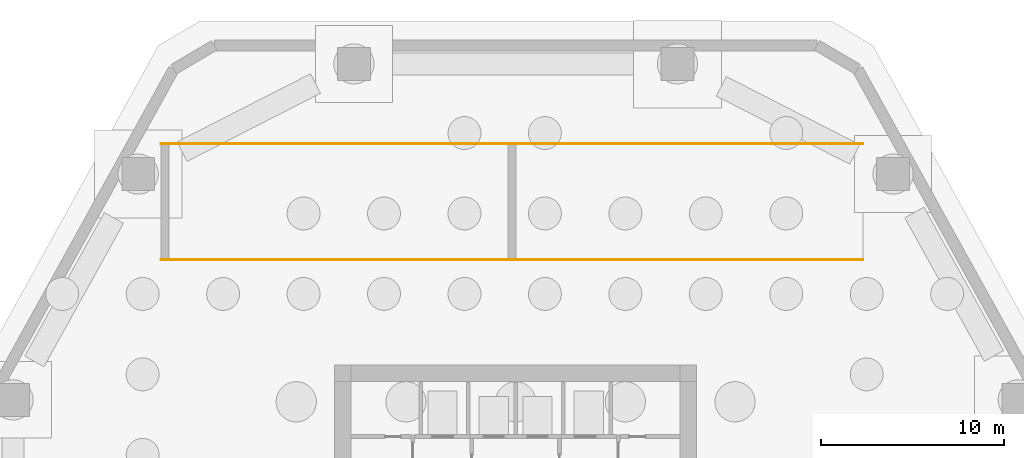
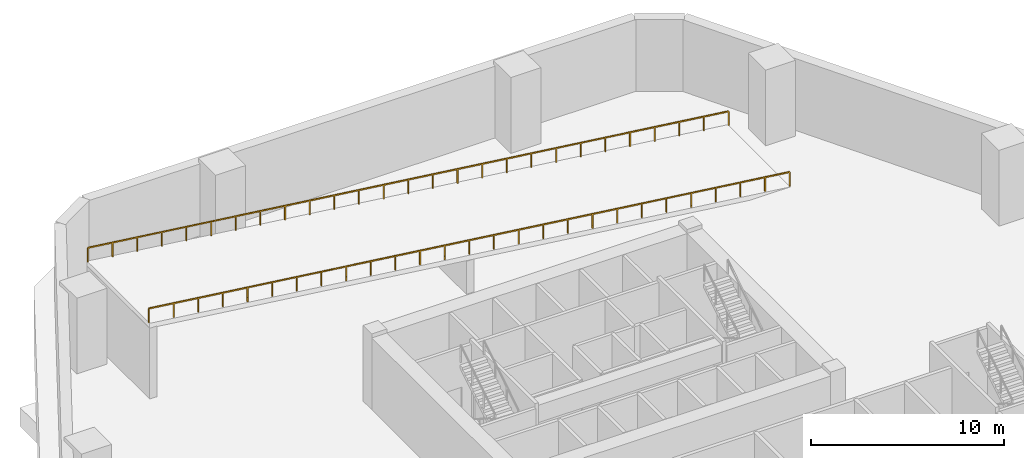
# One storey, part 8 of 9: 2 railings.
"""IFC4 building model written with IfcOpenShell, lengths in metres."""

from ifc_helpers import new_model, si_unit, direction, frame, origin, origin_2d, place, context, subcontext, project, spatial, rectangle, extrude, material, type_object, element, save


model = new_model("IFC4")

# Units and contexts
model_context = context("Model", 3, precision=1e-05, world=origin(), true_north=direction((0.0, 1.0)))
body_context = subcontext(model_context, "Body", "Model", "MODEL_VIEW")
ifc_project = project(units=[si_unit("LENGTHUNIT", "METRE"), si_unit("AREAUNIT", "SQUARE_METRE"), si_unit("VOLUMEUNIT", "CUBIC_METRE"), si_unit("PLANEANGLEUNIT", "RADIAN"), si_unit("MASSUNIT", "GRAM", prefix="KILO")], contexts=[model_context])

# Site, building, storey
site_placement = place(None, origin())
site = spatial("IfcSite", under=ifc_project, at=site_placement, CompositionType="ELEMENT")
building_placement = place(site_placement, origin())
building = spatial("IfcBuilding", under=site, at=building_placement, Name="Cinnabar Lancet Tower", CompositionType="ELEMENT")
storey_placement = place(building_placement, frame((0.0, 0.0, -4.800048828125)))
storey = spatial("IfcBuildingStorey", under=building, at=storey_placement, Name="B1", CompositionType="ELEMENT", Elevation=-4.800048828125)

# Railings
ifc_material = material(Name="Brushed stainless steel handrail", Category="steel")
railing_type = type_object("IfcRailingType", Name="HANDRAIL-RAMP", PredefinedType="HANDRAIL", material=ifc_material)
railing_1_placement = place(storey_placement, frame((51.39990234375, 39.580078125, 0.0)))
element("IfcRailing", 1, at=railing_1_placement, inside=storey, type_object=railing_type, Name="Vehicle Ramp VR-01 S Kerb Guard Handrail", PredefinedType="HANDRAIL", context=body_context, shape_type="SweptSolid", body=[
    extrude(rectangle(XDim=0.048095703125, YDim=0.048095703125, at=origin_2d()), frame((0.0, 0.0, 0.89599609375), z_axis=(-0.992277682597, 0.0, 0.124036287512), x_axis=(0.0, -1.0, 0.0)), (0.0, 0.0, 1.0), 38.69873046875),
    extrude(rectangle(XDim=0.0419921875, YDim=0.0419921875, at=origin_2d()), origin(), (0.0, 0.0, 1.0), 0.871826171875),
    extrude(rectangle(XDim=0.0419921875, YDim=0.0419921875, at=origin_2d()), frame((-1.476806640625, 0.0, 0.1845703125)), (0.0, 0.0, 1.0), 0.871826171875),
    extrude(rectangle(XDim=0.0419921875, YDim=0.0419921875, at=origin_2d()), frame((-2.953857421875, 0.0, 0.369140625)), (0.0, 0.0, 1.0), 0.871826171875),
    extrude(rectangle(XDim=0.0419921875, YDim=0.0419921875, at=origin_2d()), frame((-4.4306640625, 0.0, 0.553955078125)), (0.0, 0.0, 1.0), 0.871826171875),
    extrude(rectangle(XDim=0.0419921875, YDim=0.0419921875, at=origin_2d()), frame((-5.90771484375, 0.0, 0.738525390625)), (0.0, 0.0, 1.0), 0.871826171875),
    extrude(rectangle(XDim=0.0419921875, YDim=0.0419921875, at=origin_2d()), frame((-7.384521484375, 0.0, 0.923095703125)), (0.0, 0.0, 1.0), 0.871826171875),
    extrude(rectangle(XDim=0.0419921875, YDim=0.0419921875, at=origin_2d()), frame((-8.861572265625, 0.0, 1.107666015625)), (0.0, 0.0, 1.0), 0.871826171875),
    extrude(rectangle(XDim=0.0419921875, YDim=0.0419921875, at=origin_2d()), frame((-10.33837890625, 0.0, 1.292236328125)), (0.0, 0.0, 1.0), 0.871826171875),
    extrude(rectangle(XDim=0.0419921875, YDim=0.0419921875, at=origin_2d()), frame((-11.8154296875, 0.0, 1.47705078125)), (0.0, 0.0, 1.0), 0.871826171875),
    extrude(rectangle(XDim=0.0419921875, YDim=0.0419921875, at=origin_2d()), frame((-13.292236328125, 0.0, 1.66162109375)), (0.0, 0.0, 1.0), 0.871826171875),
    extrude(rectangle(XDim=0.0419921875, YDim=0.0419921875, at=origin_2d()), frame((-14.769287109375, 0.0, 1.84619140625)), (0.0, 0.0, 1.0), 0.871826171875),
    extrude(rectangle(XDim=0.0419921875, YDim=0.0419921875, at=origin_2d()), frame((-16.24609375, 0.0, 2.03076171875)), (0.0, 0.0, 1.0), 0.871826171875),
    extrude(rectangle(XDim=0.0419921875, YDim=0.0419921875, at=origin_2d()), frame((-17.72314453125, 0.0, 2.21533203125)), (0.0, 0.0, 1.0), 0.871826171875),
    extrude(rectangle(XDim=0.0419921875, YDim=0.0419921875, at=origin_2d()), frame((-19.199951171875, 0.0, 2.39990234375)), (0.0, 0.0, 1.0), 0.871826171875),
    extrude(rectangle(XDim=0.0419921875, YDim=0.0419921875, at=origin_2d()), frame((-20.6767578125, 0.0, 2.584716796875)), (0.0, 0.0, 1.0), 0.871826171875),
    extrude(rectangle(XDim=0.0419921875, YDim=0.0419921875, at=origin_2d()), frame((-22.15380859375, 0.0, 2.769287109375)), (0.0, 0.0, 1.0), 0.871826171875),
    extrude(rectangle(XDim=0.0419921875, YDim=0.0419921875, at=origin_2d()), frame((-23.630615234375, 0.0, 2.953857421875)), (0.0, 0.0, 1.0), 0.871826171875),
    extrude(rectangle(XDim=0.0419921875, YDim=0.0419921875, at=origin_2d()), frame((-25.107666015625, 0.0, 3.138427734375)), (0.0, 0.0, 1.0), 0.871826171875),
    extrude(rectangle(XDim=0.0419921875, YDim=0.0419921875, at=origin_2d()), frame((-26.58447265625, 0.0, 3.322998046875)), (0.0, 0.0, 1.0), 0.871826171875),
    extrude(rectangle(XDim=0.0419921875, YDim=0.0419921875, at=origin_2d()), frame((-28.0615234375, 0.0, 3.5078125)), (0.0, 0.0, 1.0), 0.871826171875),
    extrude(rectangle(XDim=0.0419921875, YDim=0.0419921875, at=origin_2d()), frame((-29.538330078125, 0.0, 3.6923828125)), (0.0, 0.0, 1.0), 0.871826171875),
    extrude(rectangle(XDim=0.0419921875, YDim=0.0419921875, at=origin_2d()), frame((-31.015380859375, 0.0, 3.876953125)), (0.0, 0.0, 1.0), 0.871826171875),
    extrude(rectangle(XDim=0.0419921875, YDim=0.0419921875, at=origin_2d()), frame((-32.4921875, 0.0, 4.0615234375)), (0.0, 0.0, 1.0), 0.871826171875),
    extrude(rectangle(XDim=0.0419921875, YDim=0.0419921875, at=origin_2d()), frame((-33.96923828125, 0.0, 4.24609375)), (0.0, 0.0, 1.0), 0.871826171875),
    extrude(rectangle(XDim=0.0419921875, YDim=0.0419921875, at=origin_2d()), frame((-35.446044921875, 0.0, 4.430908203125)), (0.0, 0.0, 1.0), 0.871826171875),
    extrude(rectangle(XDim=0.0419921875, YDim=0.0419921875, at=origin_2d()), frame((-36.923095703125, 0.0, 4.615478515625)), (0.0, 0.0, 1.0), 0.871826171875),
    extrude(rectangle(XDim=0.0419921875, YDim=0.0419921875, at=origin_2d()), frame((-38.39990234375, 0.0, 4.800048828125)), (0.0, 0.0, 1.0), 0.871826171875),
])
railing_2_placement = place(storey_placement, frame((51.39990234375, 45.919921875, 0.0)))
element("IfcRailing", 2, at=railing_2_placement, inside=storey, type_object=railing_type, Name="Vehicle Ramp VR-01 N Kerb Guard Handrail", PredefinedType="HANDRAIL", context=body_context, shape_type="SweptSolid", body=[
    extrude(rectangle(XDim=0.048095703125, YDim=0.048095703125, at=origin_2d()), frame((0.0, 0.0, 0.89599609375), z_axis=(-0.992277682597, 0.0, 0.124036287512), x_axis=(0.0, -1.0, 0.0)), (0.0, 0.0, 1.0), 38.69873046875),
    extrude(rectangle(XDim=0.0419921875, YDim=0.0419921875, at=origin_2d()), origin(), (0.0, 0.0, 1.0), 0.871826171875),
    extrude(rectangle(XDim=0.0419921875, YDim=0.0419921875, at=origin_2d()), frame((-1.476806640625, 0.0, 0.1845703125)), (0.0, 0.0, 1.0), 0.871826171875),
    extrude(rectangle(XDim=0.0419921875, YDim=0.0419921875, at=origin_2d()), frame((-2.953857421875, 0.0, 0.369140625)), (0.0, 0.0, 1.0), 0.871826171875),
    extrude(rectangle(XDim=0.0419921875, YDim=0.0419921875, at=origin_2d()), frame((-4.4306640625, 0.0, 0.553955078125)), (0.0, 0.0, 1.0), 0.871826171875),
    extrude(rectangle(XDim=0.0419921875, YDim=0.0419921875, at=origin_2d()), frame((-5.90771484375, 0.0, 0.738525390625)), (0.0, 0.0, 1.0), 0.871826171875),
    extrude(rectangle(XDim=0.0419921875, YDim=0.0419921875, at=origin_2d()), frame((-7.384521484375, 0.0, 0.923095703125)), (0.0, 0.0, 1.0), 0.871826171875),
    extrude(rectangle(XDim=0.0419921875, YDim=0.0419921875, at=origin_2d()), frame((-8.861572265625, 0.0, 1.107666015625)), (0.0, 0.0, 1.0), 0.871826171875),
    extrude(rectangle(XDim=0.0419921875, YDim=0.0419921875, at=origin_2d()), frame((-10.33837890625, 0.0, 1.292236328125)), (0.0, 0.0, 1.0), 0.871826171875),
    extrude(rectangle(XDim=0.0419921875, YDim=0.0419921875, at=origin_2d()), frame((-11.8154296875, 0.0, 1.47705078125)), (0.0, 0.0, 1.0), 0.871826171875),
    extrude(rectangle(XDim=0.0419921875, YDim=0.0419921875, at=origin_2d()), frame((-13.292236328125, 0.0, 1.66162109375)), (0.0, 0.0, 1.0), 0.871826171875),
    extrude(rectangle(XDim=0.0419921875, YDim=0.0419921875, at=origin_2d()), frame((-14.769287109375, 0.0, 1.84619140625)), (0.0, 0.0, 1.0), 0.871826171875),
    extrude(rectangle(XDim=0.0419921875, YDim=0.0419921875, at=origin_2d()), frame((-16.24609375, 0.0, 2.03076171875)), (0.0, 0.0, 1.0), 0.871826171875),
    extrude(rectangle(XDim=0.0419921875, YDim=0.0419921875, at=origin_2d()), frame((-17.72314453125, 0.0, 2.21533203125)), (0.0, 0.0, 1.0), 0.871826171875),
    extrude(rectangle(XDim=0.0419921875, YDim=0.0419921875, at=origin_2d()), frame((-19.199951171875, 0.0, 2.39990234375)), (0.0, 0.0, 1.0), 0.871826171875),
    extrude(rectangle(XDim=0.0419921875, YDim=0.0419921875, at=origin_2d()), frame((-20.6767578125, 0.0, 2.584716796875)), (0.0, 0.0, 1.0), 0.871826171875),
    extrude(rectangle(XDim=0.0419921875, YDim=0.0419921875, at=origin_2d()), frame((-22.15380859375, 0.0, 2.769287109375)), (0.0, 0.0, 1.0), 0.871826171875),
    extrude(rectangle(XDim=0.0419921875, YDim=0.0419921875, at=origin_2d()), frame((-23.630615234375, 0.0, 2.953857421875)), (0.0, 0.0, 1.0), 0.871826171875),
    extrude(rectangle(XDim=0.0419921875, YDim=0.0419921875, at=origin_2d()), frame((-25.107666015625, 0.0, 3.138427734375)), (0.0, 0.0, 1.0), 0.871826171875),
    extrude(rectangle(XDim=0.0419921875, YDim=0.0419921875, at=origin_2d()), frame((-26.58447265625, 0.0, 3.322998046875)), (0.0, 0.0, 1.0), 0.871826171875),
    extrude(rectangle(XDim=0.0419921875, YDim=0.0419921875, at=origin_2d()), frame((-28.0615234375, 0.0, 3.5078125)), (0.0, 0.0, 1.0), 0.871826171875),
    extrude(rectangle(XDim=0.0419921875, YDim=0.0419921875, at=origin_2d()), frame((-29.538330078125, 0.0, 3.6923828125)), (0.0, 0.0, 1.0), 0.871826171875),
    extrude(rectangle(XDim=0.0419921875, YDim=0.0419921875, at=origin_2d()), frame((-31.015380859375, 0.0, 3.876953125)), (0.0, 0.0, 1.0), 0.871826171875),
    extrude(rectangle(XDim=0.0419921875, YDim=0.0419921875, at=origin_2d()), frame((-32.4921875, 0.0, 4.0615234375)), (0.0, 0.0, 1.0), 0.871826171875),
    extrude(rectangle(XDim=0.0419921875, YDim=0.0419921875, at=origin_2d()), frame((-33.96923828125, 0.0, 4.24609375)), (0.0, 0.0, 1.0), 0.871826171875),
    extrude(rectangle(XDim=0.0419921875, YDim=0.0419921875, at=origin_2d()), frame((-35.446044921875, 0.0, 4.430908203125)), (0.0, 0.0, 1.0), 0.871826171875),
    extrude(rectangle(XDim=0.0419921875, YDim=0.0419921875, at=origin_2d()), frame((-36.923095703125, 0.0, 4.615478515625)), (0.0, 0.0, 1.0), 0.871826171875),
    extrude(rectangle(XDim=0.0419921875, YDim=0.0419921875, at=origin_2d()), frame((-38.39990234375, 0.0, 4.800048828125)), (0.0, 0.0, 1.0), 0.871826171875),
])

save(model, "model.ifc")
